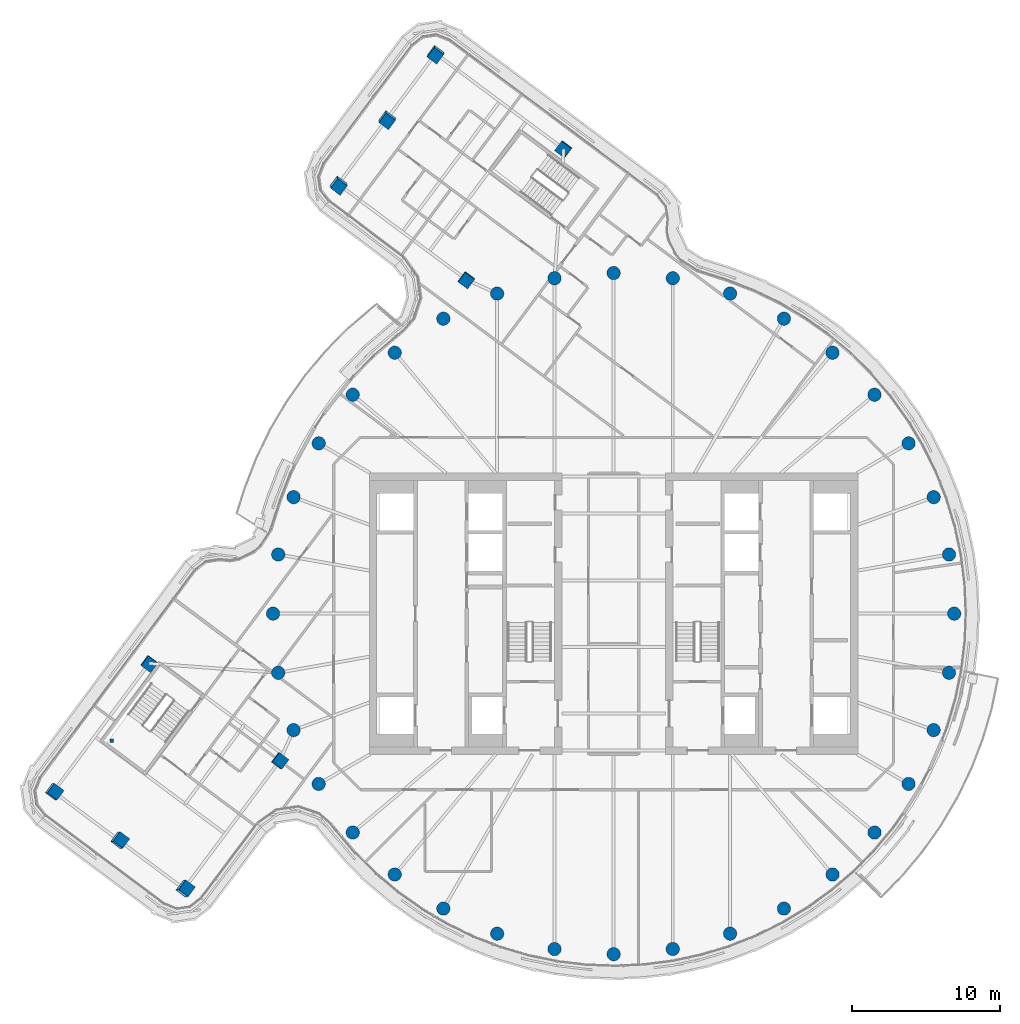
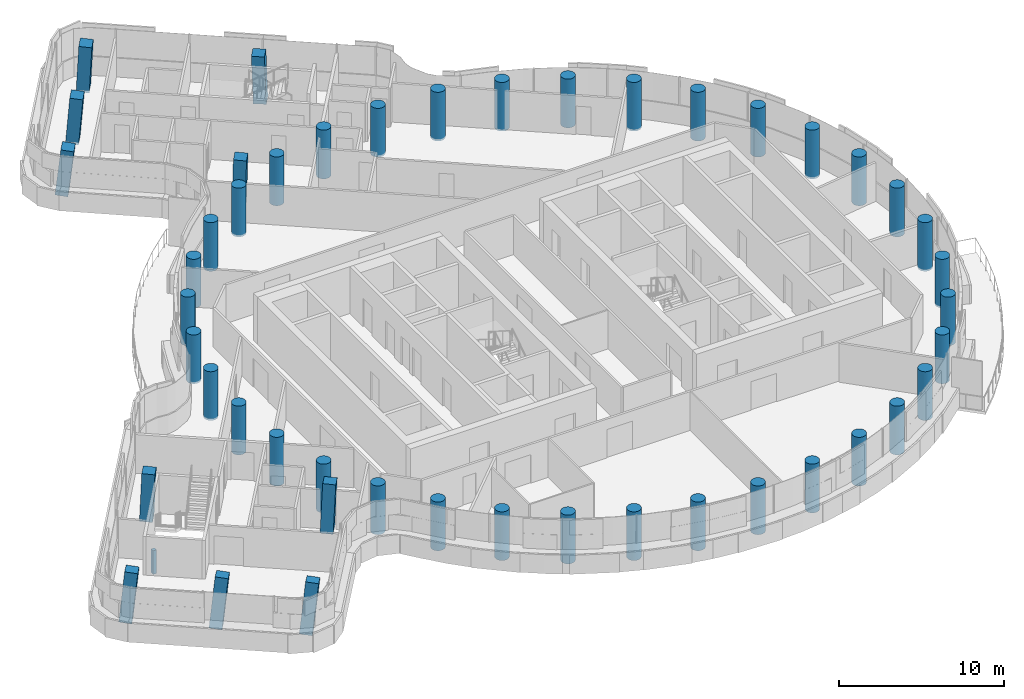
# One storey, part 1 of 27: 47 columns.
"""IFC4 building model written with IfcOpenShell, lengths in metres."""

from ifc_helpers import new_model, si_unit, direction, frame, origin, origin_2d, place, context, subcontext, project, spatial, rectangle, circle, extrude, material, material_profile, profile_set, type_object, element, save


model = new_model("IFC4")

# Units and contexts
model_context = context("Model", 3, precision=1e-05, world=origin(), true_north=direction((0.0, 1.0)))
body_context = subcontext(model_context, "Body", "Model", "MODEL_VIEW")
ifc_project = project(units=[si_unit("LENGTHUNIT", "METRE"), si_unit("AREAUNIT", "SQUARE_METRE"), si_unit("VOLUMEUNIT", "CUBIC_METRE"), si_unit("PLANEANGLEUNIT", "RADIAN"), si_unit("MASSUNIT", "GRAM", prefix="KILO")], contexts=[model_context])

# Site, building, storey
site_placement = place(None, origin())
site = spatial("IfcSite", under=ifc_project, at=site_placement, CompositionType="ELEMENT")
building_placement = place(site_placement, origin())
building = spatial("IfcBuilding", under=site, at=building_placement, Name="Tamarind Cross Interchange Tower", CompositionType="ELEMENT")
storey_placement = place(building_placement, frame((0.0, 0.0, 227.10009765625)))
storey = spatial("IfcBuildingStorey", under=building, at=storey_placement, Name="L57", CompositionType="ELEMENT", Elevation=227.10009765625)

# Columns
ifc_material_1 = material(Name="Concrete C40", Category="concrete")
ifc_material_profile_1 = material_profile(ifc_material_1, rectangle(XDim=0.25, YDim=0.25, at=origin_2d()), Name="RC 250x250")
ifc_profile_set_1 = profile_set([ifc_material_profile_1], Name="Concrete C40")
column_type_1 = type_object("IfcColumnType", Name="Column RC 250x250 Concrete C40", PredefinedType="COLUMN", material=ifc_profile_set_1)
column_1_placement = place(storey_placement, frame((-33.896728515625, -8.592041015625, -0.14013671875), z_axis=(0.0, 0.0, 1.0), x_axis=(1.0, 0.0, 0.0)))
element("IfcColumn", 1, at=column_1_placement, inside=storey, type_object=column_type_1, Name="Column ST5 landing L57", PredefinedType="COLUMN", context=body_context, shape_type="SweptSolid", body=[
    extrude(rectangle(XDim=0.25, YDim=0.25, at=origin_2d()), origin(), (0.0, 0.0, 1.0), 1.739990234375),
])
ifc_material_2 = material(Name="Concrete C50", Category="concrete")
ifc_material_profile_2 = material_profile(ifc_material_2, rectangle(XDim=0.800048828125, YDim=0.800048828125, at=origin_2d()), Name="RC 800x800")
ifc_profile_set_2 = profile_set([ifc_material_profile_2], Name="Concrete C50")
column_type_2 = type_object("IfcColumnType", Name="Column RC 800x800 Concrete C50", PredefinedType="COLUMN", material=ifc_profile_set_2)
for number, where, z_axis, x_axis, name in (
    (2, (-9.941650390625, 22.552978515625, -0.138916015625), (-0.002304349187, -0.050289032263, 0.998732047753), (0.597247430318, 0.800971813174, 0.041709249322), "Column L57-045"),
    (3, (-3.365478515625, 31.370849609375, -0.138916015625), (-0.047239143367, -0.017418163336, 0.998731731207), (0.800586420274, -0.59858927255, 0.027427476377), "Column L57-046"),
):
    element("IfcColumn", number, at=place(storey_placement, frame(where, z_axis=z_axis, x_axis=x_axis)), inside=storey, type_object=column_type_2, Name=name, PredefinedType="COLUMN", context=body_context, shape_type="SweptSolid", body=[
        extrude(rectangle(XDim=0.800048828125, YDim=0.800048828125, at=origin_2d()), origin(), (0.0, 0.0, 1.0), 3.602294921875),
    ])
column_2_placement = place(storey_placement, frame((-12.016357421875, 37.82275390625, -0.13818359375), z_axis=(-0.011952151723, -0.109460101371, 0.993919328858), x_axis=(0.597661532607, 0.79611661818, 0.09486317884)))
element("IfcColumn", 4, at=column_2_placement, inside=storey, type_object=column_type_2, Name="Column L57-047", PredefinedType="COLUMN", context=body_context, shape_type="SweptSolid", body=[
    extrude(rectangle(XDim=0.800048828125, YDim=0.800048828125, at=origin_2d()), origin(), (0.0, 0.0, 1.0), 3.615478515625),
])
column_3_placement = place(storey_placement, frame((-15.304443359375, 33.413818359375, -0.13818359375), z_axis=(0.010379988657, -0.125570901744, 0.992030344531), x_axis=(0.598637350749, 0.795435582137, 0.094422227035)))
element("IfcColumn", 5, at=column_3_placement, inside=storey, type_object=column_type_2, Name="Column L57-048", PredefinedType="COLUMN", context=body_context, shape_type="SweptSolid", body=[
    extrude(rectangle(XDim=0.800048828125, YDim=0.800048828125, at=origin_2d()), origin(), (0.0, 0.0, 1.0), 3.6220703125),
])
column_4_placement = place(storey_placement, frame((-18.592529296875, 29.0048828125, -0.137939453125), z_axis=(0.032605726217, -0.141515574612, 0.989398912856), x_axis=(0.599592397089, 0.794775597452, 0.093918619287)))
element("IfcColumn", 6, at=column_4_placement, inside=storey, type_object=column_type_2, Name="Column L57-049", PredefinedType="COLUMN", context=body_context, shape_type="SweptSolid", body=[
    extrude(rectangle(XDim=0.800048828125, YDim=0.800048828125, at=origin_2d()), origin(), (0.0, 0.0, 1.0), 3.631591796875),
])
for number, where, z_axis, x_axis, name in (
    (7, (-22.552978515625, -9.941650390625, -0.138916015625), (0.050289032263, -0.002304349187, 0.998732047753), (-0.800971813174, 0.597247430318, 0.041709249322), "Column L57-052"),
    (8, (-31.370849609375, -3.365478515625, -0.138916015625), (0.017418163336, -0.047239143367, 0.998731731207), (0.59858927255, 0.800586420274, 0.027427476377), "Column L57-053"),
):
    element("IfcColumn", number, at=place(storey_placement, frame(where, z_axis=z_axis, x_axis=x_axis)), inside=storey, type_object=column_type_2, Name=name, PredefinedType="COLUMN", context=body_context, shape_type="SweptSolid", body=[
        extrude(rectangle(XDim=0.800048828125, YDim=0.800048828125, at=origin_2d()), origin(), (0.0, 0.0, 1.0), 3.602294921875),
    ])
column_5_placement = place(storey_placement, frame((-37.82275390625, -12.016357421875, -0.13818359375), z_axis=(0.109460101371, -0.011952151723, 0.993919328858), x_axis=(-0.79611661818, 0.597661532607, 0.09486317884)))
element("IfcColumn", 9, at=column_5_placement, inside=storey, type_object=column_type_2, Name="Column L57-054", PredefinedType="COLUMN", context=body_context, shape_type="SweptSolid", body=[
    extrude(rectangle(XDim=0.800048828125, YDim=0.800048828125, at=origin_2d()), origin(), (0.0, 0.0, 1.0), 3.615478515625),
])
column_6_placement = place(storey_placement, frame((-33.413818359375, -15.304443359375, -0.13818359375), z_axis=(0.125570901744, 0.010379988657, 0.992030344531), x_axis=(-0.795435582137, 0.598637350749, 0.094422227035)))
element("IfcColumn", 10, at=column_6_placement, inside=storey, type_object=column_type_2, Name="Column L57-055", PredefinedType="COLUMN", context=body_context, shape_type="SweptSolid", body=[
    extrude(rectangle(XDim=0.800048828125, YDim=0.800048828125, at=origin_2d()), origin(), (0.0, 0.0, 1.0), 3.6220703125),
])
column_7_placement = place(storey_placement, frame((-29.0048828125, -18.592529296875, -0.137939453125), z_axis=(0.141515574612, 0.032605726217, 0.989398912856), x_axis=(-0.794775597452, 0.599592397089, 0.093918619287)))
element("IfcColumn", 11, at=column_7_placement, inside=storey, type_object=column_type_2, Name="Column L57-056", PredefinedType="COLUMN", context=body_context, shape_type="SweptSolid", body=[
    extrude(rectangle(XDim=0.800048828125, YDim=0.800048828125, at=origin_2d()), origin(), (0.0, 0.0, 1.0), 3.631591796875),
])
ifc_material_profile_3 = material_profile(ifc_material_2, circle(Radius=0.449951171875, at=origin_2d()), Name="RC D900")
ifc_profile_set_3 = profile_set([ifc_material_profile_3], Name="Concrete C50")
column_type_3 = type_object("IfcColumnType", Name="Column RC D900 Concrete C50", PredefinedType="COLUMN", material=ifc_profile_set_3)
for number, where, z_axis, x_axis, name in (
    (12, (23.0, 0.0, -0.14013671875), (0.0, 0.0, 1.0), (1.0, 0.0, 0.0), "Column L57-000"),
    (13, (22.650634765625, 3.993896484375, -0.14013671875), (0.0, 0.0, 1.0), (1.0, 0.0, 0.0), "Column L57-001"),
    (14, (21.613037109375, 7.866455078125, -0.14013671875), (0.0, 0.0, 1.0), (1.0, 0.0, 0.0), "Column L57-002"),
    (15, (19.918701171875, 11.5, -0.14013671875), (0.0, 0.0, 1.0), (1.0, 0.0, 0.0), "Column L57-003"),
    (16, (17.619140625, 14.7841796875, -0.14013671875), (0.0, 0.0, 1.0), (1.0, 0.0, 0.0), "Column L57-004"),
    (17, (14.7841796875, 17.619140625, -0.14013671875), (0.0, 0.0, 1.0), (1.0, 0.0, 0.0), "Column L57-005"),
    (18, (11.5, 19.918701171875, -0.14013671875), (0.0, 0.0, 1.0), (1.0, 0.0, 0.0), "Column L57-006"),
    (19, (7.866455078125, 21.613037109375, -0.14013671875), (0.0, 0.0, 1.0), (1.0, 0.0, 0.0), "Column L57-007"),
    (20, (3.993896484375, 22.650634765625, -0.14013671875), (0.0, 0.0, 1.0), (1.0, 0.0, 0.0), "Column L57-008"),
    (21, (0.0, 23.0, -0.14013671875), (0.0, 0.0, 1.0), (1.0, 0.0, 0.0), "Column L57-009"),
    (22, (-3.993896484375, 22.650634765625, -0.14013671875), (0.0, 0.0, 1.0), (1.0, 0.0, 0.0), "Column L57-010"),
    (23, (-7.866455078125, 21.613037109375, -0.14013671875), (0.0, 0.0, 1.0), (1.0, 0.0, 0.0), "Column L57-011"),
    (24, (-11.5, 19.918701171875, -0.14013671875), (0.0, 0.0, 1.0), (1.0, 0.0, 0.0), "Column L57-012"),
    (25, (-14.7841796875, 17.619140625, -0.14013671875), (0.0, 0.0, 1.0), (1.0, 0.0, 0.0), "Column L57-013"),
    (26, (-17.619140625, 14.7841796875, -0.14013671875), (0.0, 0.0, 1.0), (1.0, 0.0, 0.0), "Column L57-014"),
    (27, (-19.918701171875, 11.5, -0.14013671875), (0.0, 0.0, 1.0), (1.0, 0.0, 0.0), "Column L57-015"),
    (28, (-21.613037109375, 7.866455078125, -0.14013671875), (0.0, 0.0, 1.0), (1.0, 0.0, 0.0), "Column L57-016"),
    (29, (-22.650634765625, 3.993896484375, -0.14013671875), (0.0, 0.0, 1.0), (1.0, 0.0, 0.0), "Column L57-017"),
    (30, (-23.0, 0.0, -0.14013671875), (0.0, 0.0, 1.0), (1.0, 0.0, 0.0), "Column L57-018"),
    (31, (-22.650634765625, -3.993896484375, -0.14013671875), (0.0, 0.0, 1.0), (1.0, 0.0, 0.0), "Column L57-019"),
    (32, (-21.613037109375, -7.866455078125, -0.14013671875), (0.0, 0.0, 1.0), (1.0, 0.0, 0.0), "Column L57-020"),
    (33, (-19.918701171875, -11.5, -0.14013671875), (0.0, 0.0, 1.0), (1.0, 0.0, 0.0), "Column L57-021"),
    (34, (-17.619140625, -14.7841796875, -0.14013671875), (0.0, 0.0, 1.0), (1.0, 0.0, 0.0), "Column L57-022"),
    (35, (-14.7841796875, -17.619140625, -0.14013671875), (0.0, 0.0, 1.0), (1.0, 0.0, 0.0), "Column L57-023"),
    (36, (-11.5, -19.918701171875, -0.14013671875), (0.0, 0.0, 1.0), (1.0, 0.0, 0.0), "Column L57-024"),
    (37, (-7.866455078125, -21.613037109375, -0.14013671875), (0.0, 0.0, 1.0), (1.0, 0.0, 0.0), "Column L57-025"),
    (38, (-3.993896484375, -22.650634765625, -0.14013671875), (0.0, 0.0, 1.0), (1.0, 0.0, 0.0), "Column L57-026"),
    (39, (0.0, -23.0, -0.14013671875), (0.0, 0.0, 1.0), (1.0, 0.0, 0.0), "Column L57-027"),
    (40, (3.993896484375, -22.650634765625, -0.14013671875), (0.0, 0.0, 1.0), (1.0, 0.0, 0.0), "Column L57-028"),
    (41, (7.866455078125, -21.613037109375, -0.14013671875), (0.0, 0.0, 1.0), (1.0, 0.0, 0.0), "Column L57-029"),
    (42, (11.5, -19.918701171875, -0.14013671875), (0.0, 0.0, 1.0), (1.0, 0.0, 0.0), "Column L57-030"),
    (43, (14.7841796875, -17.619140625, -0.14013671875), (0.0, 0.0, 1.0), (1.0, 0.0, 0.0), "Column L57-031"),
    (44, (17.619140625, -14.7841796875, -0.14013671875), (0.0, 0.0, 1.0), (1.0, 0.0, 0.0), "Column L57-032"),
    (45, (19.918701171875, -11.5, -0.14013671875), (0.0, 0.0, 1.0), (1.0, 0.0, 0.0), "Column L57-033"),
    (46, (21.613037109375, -7.866455078125, -0.14013671875), (0.0, 0.0, 1.0), (1.0, 0.0, 0.0), "Column L57-034"),
    (47, (22.650634765625, -3.993896484375, -0.14013671875), (0.0, 0.0, 1.0), (1.0, 0.0, 0.0), "Column L57-035"),
):
    element("IfcColumn", number, at=place(storey_placement, frame(where, z_axis=z_axis, x_axis=x_axis)), inside=storey, type_object=column_type_3, Name=name, PredefinedType="COLUMN", context=body_context, shape_type="SweptSolid", body=[
        extrude(circle(Radius=0.449951171875, at=origin_2d()), origin(), (0.0, 0.0, 1.0), 3.60009765625),
    ])

save(model, "model.ifc")
